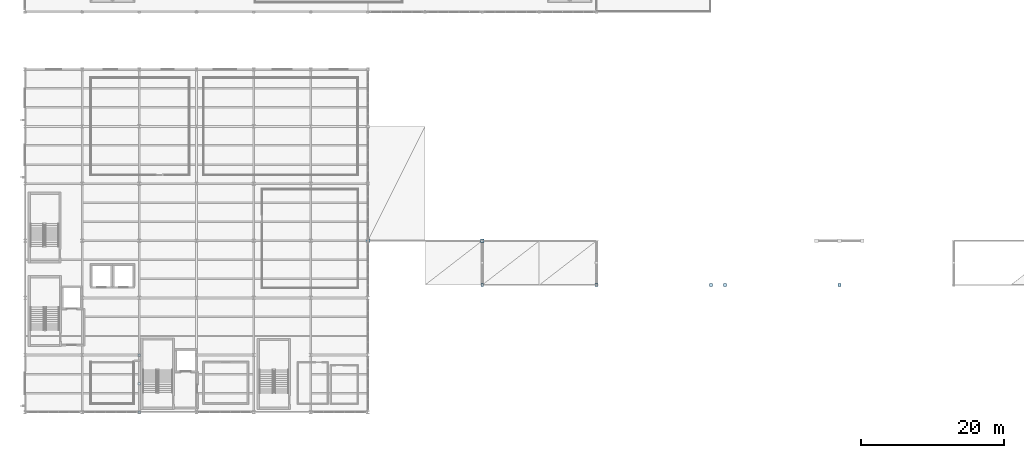
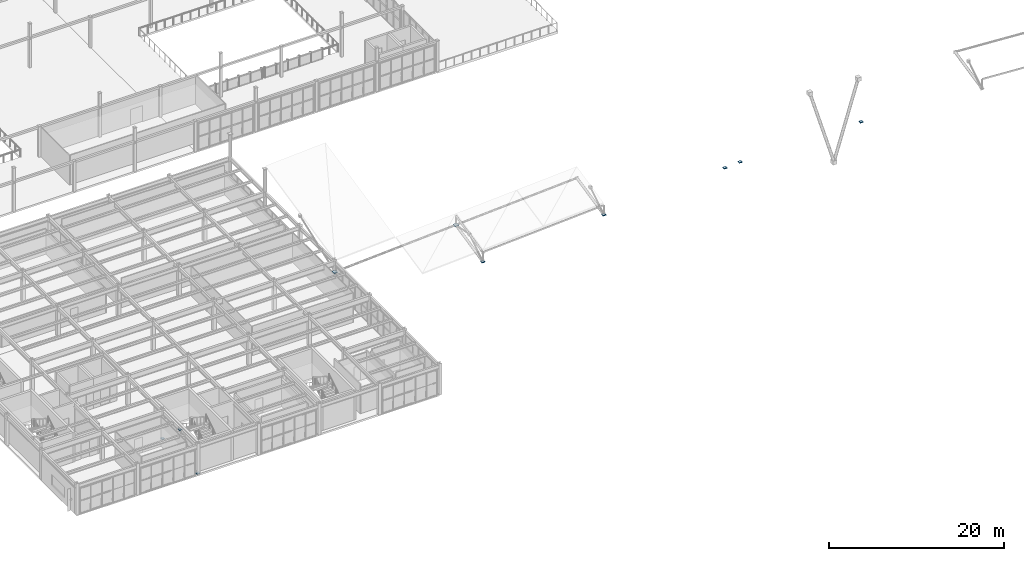
# One storey, part 52 of 83: 10 plates.
"""IFC4 building model written with IfcOpenShell, lengths in metres."""

from ifc_helpers import new_model, si_unit, direction, frame, origin, origin_2d, place, context, subcontext, project, spatial, rectangle, extrude, material, layer, layer_set, type_object, element, save


model = new_model("IFC4")

# Units and contexts
model_context = context("Model", 3, precision=1e-05, world=origin(), true_north=direction((0.0, 1.0)))
body_context = subcontext(model_context, "Body", "Model", "MODEL_VIEW")
ifc_project = project(units=[si_unit("LENGTHUNIT", "METRE"), si_unit("AREAUNIT", "SQUARE_METRE"), si_unit("VOLUMEUNIT", "CUBIC_METRE"), si_unit("PLANEANGLEUNIT", "RADIAN"), si_unit("MASSUNIT", "GRAM", prefix="KILO")], contexts=[model_context])

# Site, building, storey
site_placement = place(None, origin())
site = spatial("IfcSite", under=ifc_project, at=site_placement, CompositionType="ELEMENT")
building_placement = place(site_placement, origin())
building = spatial("IfcBuilding", under=site, at=building_placement, Name="Drelvath Fold Interchange", CompositionType="ELEMENT")
storey_placement = place(building_placement, frame((0.0, 0.0, 11.199951171875)))
storey = spatial("IfcBuildingStorey", under=building, at=storey_placement, Name="L02", CompositionType="ELEMENT", Elevation=11.199951171875)

# Plates
ifc_material = material(Name="Steel ASTM A572 Grade 50", Category="steel")
ifc_layer_1 = layer(ifc_material, 0.080078125, Name="Steel ASTM A572 Grade 50")
ifc_layer_set_1 = layer_set([ifc_layer_1], Name="Steel ASTM A572 Grade 50")
plate_type_1 = type_object("IfcPlateType", Name="SN-01", PredefinedType="USERDEFINED", material=ifc_layer_set_1)
for number, where, z_axis, x_axis, name in (
    (1, (52.0, 27.0, 2.491943359375), (0.0, 0.0, 1.0), (1.0, 0.0, 0.0), "Space frame column bearing node SN-01"),
    (2, (68.0, 27.0, 3.4541015625), (0.0, 0.0, 1.0), (1.0, 0.0, 0.0), "Space frame column bearing node SN-01"),
):
    element("IfcPlate", number, at=place(storey_placement, frame(where, z_axis=z_axis, x_axis=x_axis)), inside=storey, type_object=plate_type_1, Name=name, ObjectType="GUSSET PLATE", PredefinedType="USERDEFINED", context=body_context, shape_type="SweptSolid", body=[
        extrude(rectangle(XDim=0.52001953125, YDim=0.52001953125, at=origin_2d()), origin(), (0.0, 0.0, 1.0), 0.080078125),
    ])
ifc_layer_2 = layer(ifc_material, 0.050048828125, Name="Steel ASTM A572 Grade 50")
ifc_layer_set_2 = layer_set([ifc_layer_2], Name="Steel ASTM A572 Grade 50")
plate_type_2 = type_object("IfcPlateType", Name="SN-03", PredefinedType="SHEET", material=ifc_layer_set_2)
for number, where, z_axis, x_axis, name in (
    (3, (68.0, 20.800048828125, 2.1181640625), (0.0, 0.0, 1.0), (1.0, 0.0, 0.0), "Space frame eave node SN-03"),
    (4, (84.0, 20.800048828125, 3.080078125), (0.0, 0.0, 1.0), (1.0, 0.0, 0.0), "Space frame eave node SN-03"),
    (5, (100.0, 20.800048828125, 4.0419921875), (0.0, 0.0, 1.0), (1.0, 0.0, 0.0), "Space frame eave node SN-03"),
    (6, (102.0, 20.800048828125, 4.162109375), (0.0, 0.0, 1.0), (1.0, 0.0, 0.0), "Space frame eave node SN-03"),
    (7, (118.0, 20.800048828125, 4.162109375), (0.0, 0.0, 1.0), (1.0, 0.0, 0.0), "Space frame eave node SN-03"),
):
    element("IfcPlate", number, at=place(storey_placement, frame(where, z_axis=z_axis, x_axis=x_axis)), inside=storey, type_object=plate_type_2, Name=name, PredefinedType="SHEET", context=body_context, shape_type="SweptSolid", body=[
        extrude(rectangle(XDim=0.39990234375, YDim=0.39990234375, at=origin_2d()), origin(), (0.0, 0.0, 1.0), 0.050048828125),
    ])
ifc_layer_3 = layer(ifc_material, 0.030029296875, Name="Steel ASTM A572 Grade 50")
ifc_layer_set_3 = layer_set([ifc_layer_3], Name="Steel ASTM A572 Grade 50")
plate_type_3 = type_object("IfcPlateType", Name="SN-04", PredefinedType="SHEET", material=ifc_layer_set_3)
for number, where, z_axis, x_axis, name in (
    (8, (20.0, 7.0, 3.84619140625), (0.0, 0.0, 1.0), (1.0, 0.0, 0.0), "Braced frame chevron apex gusset SN-04"),
    (9, (20.0, 3.0, 0.14501953125), (0.0, 0.0, 1.0), (1.0, 0.0, 0.0), "Braced frame column base gusset SN-04"),
    (10, (20.0, 11.0, 0.14501953125), (0.0, 0.0, 1.0), (1.0, 0.0, 0.0), "Braced frame column base gusset SN-04"),
):
    element("IfcPlate", number, at=place(storey_placement, frame(where, z_axis=z_axis, x_axis=x_axis)), inside=storey, type_object=plate_type_3, Name=name, PredefinedType="SHEET", context=body_context, shape_type="SweptSolid", body=[
        extrude(rectangle(XDim=0.360107421875, YDim=0.360107421875, at=origin_2d()), origin(), (0.0, 0.0, 1.0), 0.030029296875),
    ])

save(model, "model.ifc")
